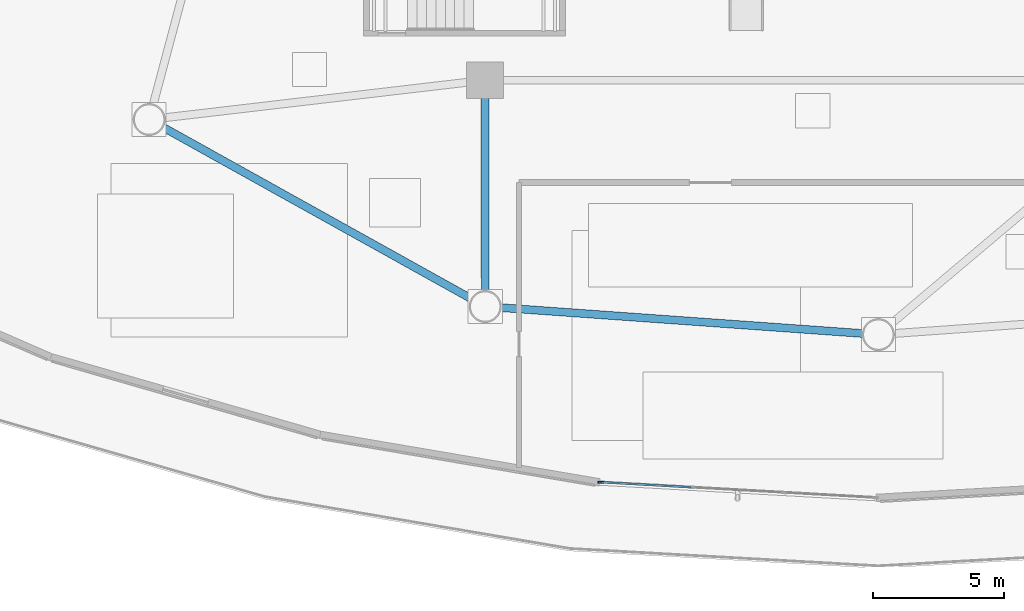
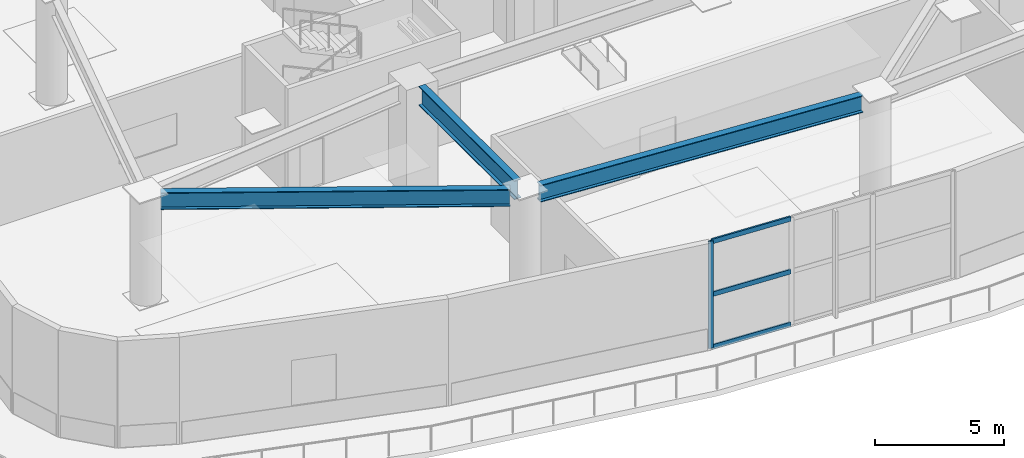
# One storey, part 2 of 25: 4 members, 3 beams, 1 element without a shape of its own.
"""IFC4 building model written with IfcOpenShell, lengths in metres."""

from ifc_helpers import new_model, si_unit, direction, frame, origin, origin_2d, place, context, subcontext, project, spatial, hollow_rectangle, i_section, extrude, source, transform, mapped, material, layer, layer_set, material_profile, profile_set, type_object, type_shapes, element, aggregate, save


model = new_model("IFC4")

# Units and contexts
model_context = context("Model", 3, precision=1e-05, world=origin(), true_north=direction((0.0, 1.0)))
body_context = subcontext(model_context, "Body", "Model", "MODEL_VIEW")
ifc_project = project(units=[si_unit("LENGTHUNIT", "METRE"), si_unit("AREAUNIT", "SQUARE_METRE"), si_unit("VOLUMEUNIT", "CUBIC_METRE"), si_unit("PLANEANGLEUNIT", "RADIAN"), si_unit("MASSUNIT", "GRAM", prefix="KILO")], contexts=[model_context])

# Site, building, storey
site_placement = place(None, origin())
site = spatial("IfcSite", under=ifc_project, at=site_placement, CompositionType="ELEMENT")
building_placement = place(site_placement, origin())
building = spatial("IfcBuilding", under=site, at=building_placement, Name="Tavelor Broadcast Tower", CompositionType="ELEMENT")
storey_placement = place(building_placement, frame((0.0, 0.0, 11.39990234375)))
storey = spatial("IfcBuildingStorey", under=building, at=storey_placement, Name="L02", CompositionType="ELEMENT", Elevation=11.39990234375)

# Beams
ifc_material_1 = material(Name="Steel S355", Category="steel")
ifc_material_profile_1 = material_profile(ifc_material_1, i_section(OverallWidth=0.300048828125, OverallDepth=0.800048828125, WebThickness=0.017578125, FlangeThickness=0.032958984375, at=origin_2d()), Name="HEB 800")
ifc_profile_set_1 = profile_set([ifc_material_profile_1], Name="Steel S355")
beam_type_1 = type_object("IfcBeamType", Name="Podium Spandrel Beam HEB800", PredefinedType="SPANDREL", material=ifc_profile_set_1)
beam_1_placement = place(storey_placement, frame((22.706787109375, 30.718017578125, 4.650146484375), z_axis=(0.873837244076, -0.486218542289, 0.0), x_axis=(0.486218542289, 0.873837244076, 0.0)))
element("IfcBeam", 1, at=beam_1_placement, inside=storey, type_object=beam_type_1, Name="L02 Podium Spandrel Girder 5", PredefinedType="SPANDREL", context=body_context, shape_type="SweptSolid", body=[
    extrude(i_section(OverallWidth=0.300048828125, OverallDepth=0.800048828125, WebThickness=0.017578125, FlangeThickness=0.032958984375, at=origin_2d()), origin(), (0.0, 0.0, 1.0), 13.501953125),
])
beam_2_placement = place(storey_placement, frame((35.590576171875, 23.82958984375, 4.650146484375), z_axis=(0.997456822591, -0.07127332647, 0.0), x_axis=(0.07127332647, 0.997456822591, 0.0)))
element("IfcBeam", 2, at=beam_2_placement, inside=storey, type_object=beam_type_1, Name="L02 Podium Spandrel Girder 6", PredefinedType="SPANDREL", context=body_context, shape_type="SweptSolid", body=[
    extrude(i_section(OverallWidth=0.300048828125, OverallDepth=0.800048828125, WebThickness=0.017578125, FlangeThickness=0.032958984375, at=origin_2d()), origin(), (0.0, 0.0, 1.0), 13.865966796875),
])
ifc_material_2 = material(Name="Steel S460", Category="steel")
ifc_material_profile_2 = material_profile(ifc_material_2, i_section(OverallWidth=0.300048828125, OverallDepth=0.89990234375, WebThickness=0.0185546875, FlangeThickness=0.034912109375, at=origin_2d()), Name="HEB 900")
ifc_profile_set_2 = profile_set([ifc_material_profile_2], Name="Steel S460")
beam_type_2 = type_object("IfcBeamType", Name="Studio Long-Span Girder HEB900", PredefinedType="BEAM", material=ifc_profile_set_2)
beam_3_placement = place(storey_placement, frame((35.0009765625, 31.820068359375, 4.60009765625), z_axis=(0.00139146433, -0.999999031913, 0.0), x_axis=(0.999999031913, 0.00139146433, 0.0)))
element("IfcBeam", 3, at=beam_3_placement, inside=storey, type_object=beam_type_2, Name="L02 Clear-Span Studio Girder 6", PredefinedType="BEAM", context=body_context, shape_type="SweptSolid", body=[
    extrude(i_section(OverallWidth=0.300048828125, OverallDepth=0.89990234375, WebThickness=0.0185546875, FlangeThickness=0.034912109375, at=origin_2d()), origin(), (0.0, 0.0, 1.0), 7.369140625),
])

# Curtain wall, members
ifc_material_3 = material(Name="Architectural Anodized Aluminium", Category="aluminium")
ifc_layer = layer(ifc_material_3, 0.219970703125)
ifc_layer_set = layer_set([ifc_layer], Name="Architectural Anodized Aluminium")
curtain_wall_type = type_object("IfcCurtainWallType", Name="Podium Double-Height Broadcast Curtain Wall CW01", PredefinedType="NOTDEFINED", material=ifc_layer_set)
curtain_wall_placement = place(storey_placement, origin())
curtain_wall = element("IfcCurtainWall", 4, at=curtain_wall_placement, inside=storey, type_object=curtain_wall_type, Name="L02 Curtain Wall CW01 Run 9", PredefinedType="NOTDEFINED")
ifc_material_profile_3 = material_profile(ifc_material_3, hollow_rectangle(XDim=0.074951171875, YDim=0.219970703125, WallThickness=0.02197265625, at=origin_2d()), Name="RHS 75x220x22")
ifc_profile_set_3 = profile_set([ifc_material_profile_3], Name="Architectural Anodized Aluminium")
member_type_1 = type_object("IfcMemberType", Name="CW01 Extruded Aluminium Mullion 75x220", PredefinedType="MULLION", material=ifc_profile_set_3)
shared_shape_1 = source(origin(), body_context, "Body", "SweptSolid", [
    extrude(hollow_rectangle(XDim=0.074951171875, YDim=0.219970703125, WallThickness=0.02197265625, at=origin_2d()), origin(), (0.0, 0.0, 1.0), 5.050048828125),
])
type_shapes(member_type_1, [shared_shape_1])
member_1_placement = place(storey_placement, frame((39.416748046875, 17.173583984375, 0.0), z_axis=(0.0, 0.0, 1.0), x_axis=(0.056103210648, 0.998424974525, 0.0)))
member_1 = element("IfcMember", 5, at=member_1_placement, type_object=member_type_1, Name="CW01 mullion 1", PredefinedType="MULLION", context=body_context, shape_type="MappedRepresentation", body=[
    mapped(shared_shape_1, transform((0.0, 0.0, 0.0), scale=1.0)),
])
ifc_material_profile_4 = material_profile(ifc_material_3, hollow_rectangle(XDim=0.074951171875, YDim=0.219970703125, WallThickness=0.02197265625, at=origin_2d()), Name="RHS 75x220x22")
ifc_profile_set_4 = profile_set([ifc_material_profile_4], Name="Architectural Anodized Aluminium")
member_type_2 = type_object("IfcMemberType", Name="CW01 Extruded Aluminium Transom 75x220", PredefinedType="USERDEFINED", material=ifc_profile_set_4)
shared_shape_2 = source(origin(), body_context, "Body", "SweptSolid", [
    extrude(hollow_rectangle(XDim=0.074951171875, YDim=0.219970703125, WallThickness=0.02197265625, at=origin_2d()), origin(), (0.0, 0.0, 1.0), 3.406494140625),
])
type_shapes(member_type_2, [shared_shape_2])
member_2_placement = place(storey_placement, frame((39.454345703125, 17.17138671875, 0.03759765625), z_axis=(0.998424198692, -0.056117015833, 0.0), x_axis=(0.056117015833, 0.998424198692, 0.0)))
member_2 = element("IfcMember", 6, at=member_2_placement, type_object=member_type_2, Name="CW01 transom 1.1", ObjectType="TRANSOM", PredefinedType="USERDEFINED", context=body_context, shape_type="MappedRepresentation", body=[
    mapped(shared_shape_2, transform((0.0, 0.0, 0.0), scale=1.0)),
])
member_3_placement = place(storey_placement, frame((39.454345703125, 17.17138671875, 2.525146484375), z_axis=(0.998424198692, -0.056117015833, 0.0), x_axis=(0.056117015833, 0.998424198692, 0.0)))
member_3 = element("IfcMember", 7, at=member_3_placement, type_object=member_type_2, Name="CW01 transom 1.2", ObjectType="TRANSOM", PredefinedType="USERDEFINED", context=body_context, shape_type="MappedRepresentation", body=[
    mapped(shared_shape_2, transform((0.0, 0.0, 0.0), scale=1.0)),
])
member_4_placement = place(storey_placement, frame((39.454345703125, 17.17138671875, 5.0126953125), z_axis=(0.998424198692, -0.056117015833, 0.0), x_axis=(0.056117015833, 0.998424198692, 0.0)))
member_4 = element("IfcMember", 8, at=member_4_placement, type_object=member_type_2, Name="CW01 transom 1.3", ObjectType="TRANSOM", PredefinedType="USERDEFINED", context=body_context, shape_type="MappedRepresentation", body=[
    mapped(shared_shape_2, transform((0.0, 0.0, 0.0), scale=1.0)),
])
aggregate(curtain_wall, [member_1, member_2, member_3, member_4])

save(model, "model.ifc")
